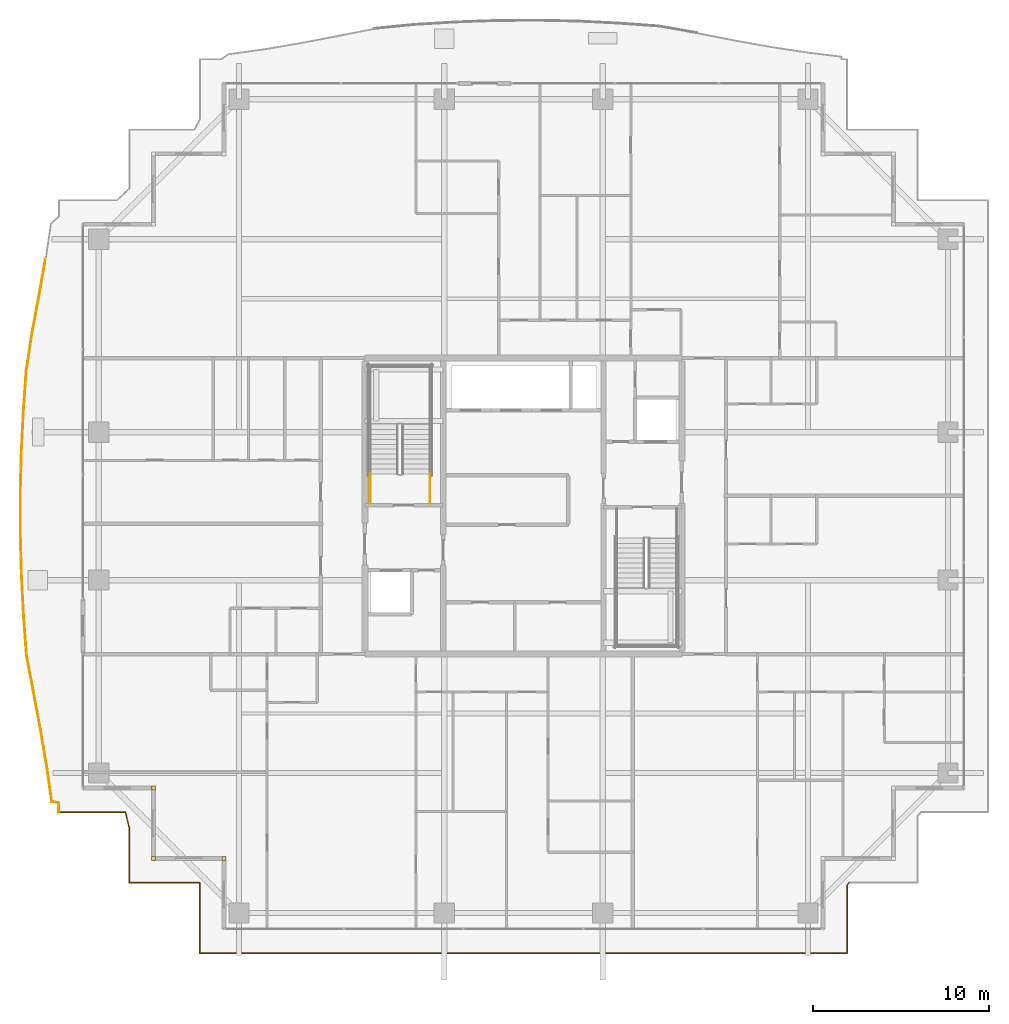
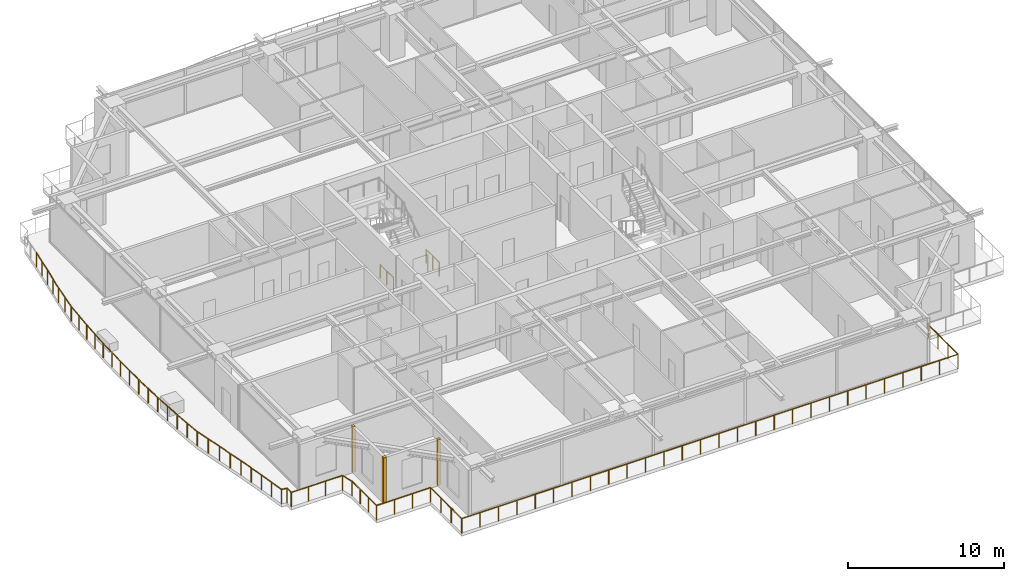
# One storey, part 34 of 38: 5 railings, 3 coverings.
"""IFC4 building model written with IfcOpenShell, lengths in metres."""

import ifcopenshell
import ifcopenshell.guid

model = None  # the IFC model being written
_history = None  # IfcOwnerHistory: only IFC2X3 demands one
_inside = {}  # id of a spatial element -> (the spatial element, [elements in it])
_under = {}  # id of a project, library or spatial element -> (it, [spatial elements below it])
_declared = {}  # id of a project -> (the project, [libraries it declares])
_typed = {}  # id of a type object -> (the type object, [elements of that type])
_made_of = {}  # id of a material, layer set ... -> (it, [elements and type objects made of it])


def new_model(schema):
    """Start an empty IFC model of exactly this schema.

    Asked for "IFC4X3", IfcOpenShell would pick the latest addendum, in which some entities
    have other attributes; the version numbers below select the first issue.
    IFC2X3 requires an IfcOwnerHistory on every rooted entity: one is made here for all.
    """
    global model, _history
    if schema == "IFC4X3":
        model = ifcopenshell.file(schema_version=(4, 3, 0, 0))
    else:
        model = ifcopenshell.file(schema=schema)
    _inside.clear()
    _under.clear()
    _declared.clear()
    _typed.clear()
    _made_of.clear()
    _history = None
    if model.schema == "IFC2X3":
        org = make("IfcOrganization", Name="unknown")
        user = make(
            "IfcPersonAndOrganization",
            ThePerson=make("IfcPerson", FamilyName="unknown"),
            TheOrganization=org,
        )
        app = make(
            "IfcApplication",
            ApplicationDeveloper=org,
            Version="unknown",
            ApplicationFullName="unknown",
            ApplicationIdentifier="unknown",
        )
        _history = make(
            "IfcOwnerHistory",
            OwningUser=user,
            OwningApplication=app,
            ChangeAction="ADDED",
            CreationDate=0,
        )
    return model


def make(cls, **values):
    """One entity of the class cls with the attributes given. An attribute that is None is left unset."""
    return model.create_entity(
        cls, **{name: value for name, value in values.items() if value is not None}
    )


def rooted(cls, **values):
    """An entity with a GlobalId (a new one), such as an element, a storey or a relation."""
    return make(cls, GlobalId=ifcopenshell.guid.new(), OwnerHistory=_history, **values)


def si_unit(unit_type, name, prefix=None):
    """IfcSIUnit, for example si_unit("LENGTHUNIT", "METRE", prefix="MILLI")."""
    return make("IfcSIUnit", UnitType=unit_type, Prefix=prefix, Name=name)


def assignment(units):
    """IfcUnitAssignment: the units of a project."""
    return None if units is None else make("IfcUnitAssignment", Units=units)


def point(xyz):
    """IfcCartesianPoint."""
    return None if xyz is None else make("IfcCartesianPoint", Coordinates=xyz)


def direction(xyz):
    """IfcDirection."""
    return None if xyz is None else make("IfcDirection", DirectionRatios=xyz)


def frame(location, z_axis=None, x_axis=None):
    """IfcAxis2Placement3D, a coordinate frame: its origin and axes. An axis left out is left unset."""
    return make(
        "IfcAxis2Placement3D",
        Location=point(location),
        Axis=direction(z_axis),
        RefDirection=direction(x_axis),
    )


def frame_2d(location, x_axis=None):
    """IfcAxis2Placement2D, a coordinate frame in the plane: its origin and x axis."""
    return make(
        "IfcAxis2Placement2D", Location=point(location), RefDirection=direction(x_axis)
    )


def origin():
    """The frame at (0, 0, 0) with its axes left unset."""
    return frame((0.0, 0.0, 0.0))


def origin_2d():
    """The frame at (0, 0) in the plane with its x axis left unset."""
    return frame_2d((0.0, 0.0))


def place(relative_to, where):
    """IfcLocalPlacement: puts the frame where relative to a parent placement (None: the world)."""
    return make(
        "IfcLocalPlacement", PlacementRelTo=relative_to, RelativePlacement=where
    )


def context(
    kind, dimensions, precision=None, world=None, true_north=None, identifier=None
):
    """IfcGeometricRepresentationContext, for example the 3D "Model" context."""
    return make(
        "IfcGeometricRepresentationContext",
        ContextIdentifier=identifier,
        ContextType=kind,
        CoordinateSpaceDimension=dimensions,
        Precision=precision,
        WorldCoordinateSystem=world,
        TrueNorth=true_north,
    )


def subcontext(parent, identifier, kind, view, scale=None):
    """IfcGeometricRepresentationSubContext, for example "Body" below "Model"."""
    return make(
        "IfcGeometricRepresentationSubContext",
        ContextIdentifier=identifier,
        ContextType=kind,
        ParentContext=parent,
        TargetScale=scale,
        TargetView=view,
    )


def project(units=None, contexts=None):
    """IfcProject with its units and contexts."""
    return rooted(
        "IfcProject",
        Name="project",
        RepresentationContexts=contexts,
        UnitsInContext=assignment(units),
    )


def spatial(cls, under=None, at=None, **own):
    """A site, building, storey or space (cls), placed at a placement, below another one or the project."""
    s = rooted(cls, ObjectPlacement=at, **own)
    if under is not None:
        _under.setdefault(under.id(), (under, []))[1].append(s)
    return s


def profile(cls, at=None, kind="AREA", **sizes):
    """A parametric profile (cls). Its sizes go by their IFC names, for example OverallWidth=200.0."""
    return make(cls, ProfileType=kind, Position=at, **sizes)


def rectangle(**sizes):
    """IfcRectangleProfileDef."""
    return profile("IfcRectangleProfileDef", **sizes)


def circle(**sizes):
    """IfcCircleProfileDef."""
    return profile("IfcCircleProfileDef", **sizes)


def extrude(swept, where, along, depth):
    """IfcExtrudedAreaSolid: the profile swept, set in the frame where, extruded along a direction by depth."""
    return make(
        "IfcExtrudedAreaSolid",
        SweptArea=swept,
        Position=where,
        ExtrudedDirection=direction(along),
        Depth=depth,
    )


def shape(context_of_items, identifier, shape_type, items):
    """IfcShapeRepresentation: the items that make up one representation, for example the "Body"."""
    return make(
        "IfcShapeRepresentation",
        ContextOfItems=context_of_items,
        RepresentationIdentifier=identifier,
        RepresentationType=shape_type,
        Items=items,
    )


def source(mapping_origin, context_of_items, identifier, shape_type, items):
    """IfcRepresentationMap: a shape defined once, which mapped items show again and again."""
    return make(
        "IfcRepresentationMap",
        MappingOrigin=mapping_origin,
        MappedRepresentation=shape(context_of_items, identifier, shape_type, items),
    )


def transform(
    local_origin,
    x_axis=None,
    y_axis=None,
    z_axis=None,
    scale=None,
    scale2=None,
    scale3=None,
    uniform=True,
):
    """IfcCartesianTransformationOperator3D, or its non-uniform kind. x_axis, y_axis, z_axis: its Axis1, 2, 3."""
    if uniform:
        return make(
            "IfcCartesianTransformationOperator3D",
            Axis1=direction(x_axis),
            Axis2=direction(y_axis),
            LocalOrigin=point(local_origin),
            Scale=scale,
            Axis3=direction(z_axis),
        )
    return make(
        "IfcCartesianTransformationOperator3DnonUniform",
        Axis1=direction(x_axis),
        Axis2=direction(y_axis),
        LocalOrigin=point(local_origin),
        Scale=scale,
        Axis3=direction(z_axis),
        Scale2=scale2,
        Scale3=scale3,
    )


def mapped(mapping_source, mapping_target):
    """IfcMappedItem: shows the shape of a source again, moved by a transform."""
    return make(
        "IfcMappedItem", MappingSource=mapping_source, MappingTarget=mapping_target
    )


def material(Name=None, Category=None):
    """IfcMaterial."""
    return make("IfcMaterial", Name=Name, Category=Category)


def layer(
    of_material, thickness, ventilated=None, Name=None, Category=None, Priority=None
):
    """IfcMaterialLayer: one layer of a wall or slab, of a material (None: an air gap)."""
    return make(
        "IfcMaterialLayer",
        Material=of_material,
        LayerThickness=thickness,
        IsVentilated=ventilated,
        Name=Name,
        Category=Category,
        Priority=Priority,
    )


def layer_set(layers, Name=None):
    """IfcMaterialLayerSet."""
    return make("IfcMaterialLayerSet", MaterialLayers=layers, LayerSetName=Name)


def made_of(thing, what):
    """Note that an element or type object is made of a material, layer set ...; save() writes the relation."""
    if what is not None:
        _made_of.setdefault(what.id(), (what, []))[1].append(thing)
    return thing


def type_object(cls, material=None, **own):
    """A type object (cls), such as IfcWallType, which elements share."""
    return made_of(rooted(cls, **own), material)


def element(
    cls,
    number,
    at=None,
    inside=None,
    cuts=None,
    type_object=None,
    material=None,
    context=None,
    identifier="Body",
    shape_type=None,
    held_by="IfcProductDefinitionShape",
    body=None,
    shapes=None,
    **own,
):
    """One element of the class cls, such as IfcWall. Its Tag is "e" and its number.

    at: its placement. inside: the storey or other place that contains it. cuts: it is an
    opening in that element (IfcRelVoidsElement). A single representation is given by context,
    identifier, shape_type and body (its items); several are given by shapes. held_by: the class
    of the entity that holds the representations. save() writes the other relations.
    """
    e = rooted(cls, Tag="e%d" % number, ObjectPlacement=at, **own)
    if body is not None:
        shapes = [shape(context, identifier, shape_type, body)]
    if shapes is not None:
        e.Representation = make(held_by, Representations=shapes)
    if inside is not None:
        _inside.setdefault(inside.id(), (inside, []))[1].append(e)
    if cuts is not None:
        rooted(
            "IfcRelVoidsElement", RelatingBuildingElement=cuts, RelatedOpeningElement=e
        )
    if type_object is not None:
        _typed.setdefault(type_object.id(), (type_object, []))[1].append(e)
    return made_of(e, material)


def aggregate(whole, parts):
    """IfcRelAggregates: a whole, such as a stair, and the parts it consists of."""
    return rooted("IfcRelAggregates", RelatingObject=whole, RelatedObjects=parts)


def save(model, path):
    """Write the relations noted so far, then the file.

    IfcRelAggregates (storeys below a building ...), IfcRelContainedInSpatialStructure (elements
    in a storey), IfcRelDefinesByType, IfcRelAssociatesMaterial and IfcRelDeclares: one each for
    every whole, place, type object, material and project.
    """
    for whole, parts in _under.values():
        aggregate(whole, parts)
    for where, things in _inside.values():
        rooted(
            "IfcRelContainedInSpatialStructure",
            RelatedElements=things,
            RelatingStructure=where,
        )
    for kind, things in _typed.values():
        rooted("IfcRelDefinesByType", RelatedObjects=things, RelatingType=kind)
    for what, things in _made_of.values():
        rooted("IfcRelAssociatesMaterial", RelatedObjects=things, RelatingMaterial=what)
    for by, libraries in _declared.values():
        rooted("IfcRelDeclares", RelatingContext=by, RelatedDefinitions=libraries)
    model.write(path)


model = new_model("IFC4")

# Units and contexts
model_context = context("Model", 3, precision=1e-05, world=origin(), true_north=direction((0.0, 1.0)))
body_context = subcontext(model_context, "Body", "Model", "MODEL_VIEW")
ifc_project = project(units=[si_unit("LENGTHUNIT", "METRE"), si_unit("AREAUNIT", "SQUARE_METRE"), si_unit("VOLUMEUNIT", "CUBIC_METRE"), si_unit("PLANEANGLEUNIT", "RADIAN"), si_unit("MASSUNIT", "GRAM", prefix="KILO")], contexts=[model_context])

# Site, building, storey
site_placement = place(None, origin())
site = spatial("IfcSite", under=ifc_project, at=site_placement, CompositionType="ELEMENT")
building_placement = place(site_placement, origin())
building = spatial("IfcBuilding", under=site, at=building_placement, Name="Serunith Strait Residences", CompositionType="ELEMENT")
storey_placement = place(building_placement, frame((0.0, 0.0, 268.199951171875)))
storey = spatial("IfcBuildingStorey", under=building, at=storey_placement, Name="L67", CompositionType="ELEMENT", Elevation=268.199951171875)

# Railings
ifc_material_1 = material(Name="Stainless Steel & Laminated Glass Balustrade", Category="steel")
railing_type_1 = type_object("IfcRailingType", Name="RLG-BALC-1150", PredefinedType="BALUSTRADE", material=ifc_material_1)
railing_1_placement = place(storey_placement, frame((6.02001953125, 7.820068359375, -0.050048828125)))
element("IfcRailing", 1, at=railing_1_placement, inside=storey, type_object=railing_type_1, Name="L67 Swirling Balcony Perimeter Balustrade 1", PredefinedType="BALUSTRADE", context=body_context, shape_type="SweptSolid", body=[
    extrude(circle(Radius=0.02392578125, at=origin_2d()), frame((0.0, 0.001953125, 1.1259765625), z_axis=(0.0, 1.0, 0.0), x_axis=(-1.0, 0.0, 0.0)), (0.0, 0.0, 1.0), 0.537841796875),
    extrude(circle(Radius=0.02392578125, at=origin_2d()), frame((-0.001953125, 0.5419921875, 1.1259765625), z_axis=(-0.986275797442, 0.165106182137, 0.0), x_axis=(-0.165106182137, -0.986275797442, 0.0)), (0.0, 0.0, 1.0), 0.387939453125),
    extrude(circle(Radius=0.02392578125, at=origin_2d()), frame((-0.38671875, 0.6083984375, 1.1259765625), z_axis=(-0.142606462437, 0.989779468807, 0.0), x_axis=(-0.989779468807, -0.142606462437, 0.0)), (0.0, 0.0, 1.0), 2.04345703125),
    extrude(circle(Radius=0.02392578125, at=origin_2d()), frame((-0.6787109375, 2.635009765625, 1.1259765625), z_axis=(-0.16681789198, 0.985987723512, 0.0), x_axis=(-0.985987723512, -0.16681789198, 0.0)), (0.0, 0.0, 1.0), 2.07421875),
    extrude(circle(Radius=0.02392578125, at=origin_2d()), frame((-1.025634765625, 4.68408203125, 1.1259765625), z_axis=(-0.18331064837, 0.983055037215, 0.0), x_axis=(-0.983055037215, -0.18331064837, 0.0)), (0.0, 0.0, 1.0), 2.12158203125),
    extrude(circle(Radius=0.02392578125, at=origin_2d()), frame((-1.415283203125, 6.773681640625, 1.1259765625), z_axis=(-0.185731384932, 0.982600556, 0.0), x_axis=(-0.982600556, -0.185731384932, 0.0)), (0.0, 0.0, 1.0), 2.181884765625),
    extrude(circle(Radius=0.02392578125, at=origin_2d()), frame((-1.821044921875, 8.921630859375, 1.1259765625), z_axis=(-0.073911256905, 0.997264822453, 0.0), x_axis=(-0.997264822453, -0.073911256905, 0.0)), (0.0, 0.0, 1.0), 2.2685546875),
    extrude(circle(Radius=0.02392578125, at=origin_2d()), frame((-1.98876953125, 11.18798828125, 1.1259765625), z_axis=(-0.05150746982, 0.998672609293, 0.0), x_axis=(-0.998672609293, -0.05150746982, 0.0)), (0.0, 0.0, 1.0), 2.299560546875),
    extrude(circle(Radius=0.02099609375, at=origin_2d()), origin(), (0.0, 0.0, 1.0), 1.099853515625),
    extrude(circle(Radius=0.02099609375, at=origin_2d()), frame((0.0, 0.541748046875, 0.0)), (0.0, 0.0, 1.0), 1.099853515625),
    extrude(circle(Radius=0.02099609375, at=origin_2d()), frame((-0.386474609375, 0.6064453125, 0.0)), (0.0, 0.0, 1.0), 1.099853515625),
    extrude(circle(Radius=0.02099609375, at=origin_2d()), frame((-0.532470703125, 1.61962890625, 0.0)), (0.0, 0.0, 1.0), 1.099853515625),
    extrude(circle(Radius=0.02099609375, at=origin_2d()), frame((-0.678466796875, 2.633056640625, 0.0)), (0.0, 0.0, 1.0), 1.099853515625),
    extrude(circle(Radius=0.02099609375, at=origin_2d()), frame((-0.851806640625, 3.65771484375, 0.0)), (0.0, 0.0, 1.0), 1.099853515625),
    extrude(circle(Radius=0.02099609375, at=origin_2d()), frame((-1.025146484375, 4.68212890625, 0.0)), (0.0, 0.0, 1.0), 1.099853515625),
    extrude(circle(Radius=0.02099609375, at=origin_2d()), frame((-1.219970703125, 5.72705078125, 0.0)), (0.0, 0.0, 1.0), 1.099853515625),
    extrude(circle(Radius=0.02099609375, at=origin_2d()), frame((-1.414794921875, 6.771728515625, 0.0)), (0.0, 0.0, 1.0), 1.099853515625),
    extrude(circle(Radius=0.02099609375, at=origin_2d()), frame((-1.61767578125, 7.845703125, 0.0)), (0.0, 0.0, 1.0), 1.099853515625),
    extrude(circle(Radius=0.02099609375, at=origin_2d()), frame((-1.82080078125, 8.919677734375, 0.0)), (0.0, 0.0, 1.0), 1.099853515625),
    extrude(circle(Radius=0.02099609375, at=origin_2d()), frame((-1.90478515625, 10.052734375, 0.0)), (0.0, 0.0, 1.0), 1.099853515625),
    extrude(circle(Radius=0.02099609375, at=origin_2d()), frame((-1.98876953125, 11.18603515625, 0.0)), (0.0, 0.0, 1.0), 1.099853515625),
    extrude(circle(Radius=0.02099609375, at=origin_2d()), frame((-2.048095703125, 12.33642578125, 0.0)), (0.0, 0.0, 1.0), 1.099853515625),
    extrude(circle(Radius=0.02099609375, at=origin_2d()), frame((-2.107421875, 13.486572265625, 0.0)), (0.0, 0.0, 1.0), 1.099853515625),
])
railing_2_placement = place(storey_placement, frame((3.91259765625, 21.306640625, -0.050048828125)))
element("IfcRailing", 2, at=railing_2_placement, inside=storey, type_object=railing_type_1, Name="L67 Swirling Balcony Perimeter Balustrade 2", PredefinedType="BALUSTRADE", context=body_context, shape_type="SweptSolid", body=[
    extrude(circle(Radius=0.02392578125, at=origin_2d()), frame((0.0, 0.001953125, 1.1259765625), z_axis=(-0.027105119065, 0.999632588765, 0.0), x_axis=(-0.999632588765, -0.027105119065, 0.0)), (0.0, 0.0, 1.0), 2.31982421875),
    extrude(circle(Radius=0.02392578125, at=origin_2d()), frame((-0.06298828125, 2.324951171875, 1.1259765625), z_axis=(-0.000732907352, 0.999999731423, 0.0), x_axis=(-0.999999731423, -0.000732907352, 0.0)), (0.0, 0.0, 1.0), 2.327880859375),
    extrude(circle(Radius=0.02392578125, at=origin_2d()), frame((-0.064697265625, 4.65673828125, 1.1259765625), z_axis=(0.025715978154, 0.999669289549, 0.0), x_axis=(-0.999669289549, 0.025715978154, 0.0)), (0.0, 0.0, 1.0), 2.322021484375),
    extrude(circle(Radius=0.02392578125, at=origin_2d()), frame((-0.0048828125, 6.98193359375, 1.1259765625), z_axis=(0.049610516021, 0.998768640227, 0.0), x_axis=(-0.998768640227, 0.049610516021, 0.0)), (0.0, 0.0, 1.0), 2.303955078125),
    extrude(circle(Radius=0.02392578125, at=origin_2d()), frame((0.10986328125, 9.287109375, 1.1259765625), z_axis=(0.069709781189, 0.997567314223, 0.0), x_axis=(-0.997567314223, 0.069709781189, 0.0)), (0.0, 0.0, 1.0), 2.27587890625),
    extrude(circle(Radius=0.02392578125, at=origin_2d()), frame((0.268798828125, 11.5615234375, 1.1259765625), z_axis=(0.150547525098, 0.988602772951, 0.0), x_axis=(-0.988602772951, 0.150547525098, 0.0)), (0.0, 0.0, 1.0), 2.2080078125),
    extrude(circle(Radius=0.02392578125, at=origin_2d()), frame((0.60205078125, 13.748291015625, 1.1259765625), z_axis=(0.184639480245, 0.982806319849, 0.0), x_axis=(-0.982806319849, 0.184639480245, 0.0)), (0.0, 0.0, 1.0), 2.137939453125),
    extrude(circle(Radius=0.02392578125, at=origin_2d()), frame((0.997314453125, 15.853515625, 1.1259765625), z_axis=(0.170907613006, 0.985287058586, 0.0), x_axis=(-0.985287058586, 0.170907613006, 0.0)), (0.0, 0.0, 1.0), 2.08740234375),
    extrude(circle(Radius=0.02099609375, at=origin_2d()), origin(), (0.0, 0.0, 1.0), 1.099853515625),
    extrude(circle(Radius=0.02099609375, at=origin_2d()), frame((-0.031494140625, 1.16162109375, 0.0)), (0.0, 0.0, 1.0), 1.099853515625),
    extrude(circle(Radius=0.02099609375, at=origin_2d()), frame((-0.06298828125, 2.322998046875, 0.0)), (0.0, 0.0, 1.0), 1.099853515625),
    extrude(circle(Radius=0.02099609375, at=origin_2d()), frame((-0.06396484375, 3.48876953125, 0.0)), (0.0, 0.0, 1.0), 1.099853515625),
    extrude(circle(Radius=0.02099609375, at=origin_2d()), frame((-0.064697265625, 4.65478515625, 0.0)), (0.0, 0.0, 1.0), 1.099853515625),
    extrude(circle(Radius=0.02099609375, at=origin_2d()), frame((-0.03466796875, 5.8173828125, 0.0)), (0.0, 0.0, 1.0), 1.099853515625),
    extrude(circle(Radius=0.02099609375, at=origin_2d()), frame((-0.0048828125, 6.97998046875, 0.0)), (0.0, 0.0, 1.0), 1.099853515625),
    extrude(circle(Radius=0.02099609375, at=origin_2d()), frame((0.05224609375, 8.132568359375, 0.0)), (0.0, 0.0, 1.0), 1.099853515625),
    extrude(circle(Radius=0.02099609375, at=origin_2d()), frame((0.109619140625, 9.28515625, 0.0)), (0.0, 0.0, 1.0), 1.099853515625),
    extrude(circle(Radius=0.02099609375, at=origin_2d()), frame((0.18896484375, 10.42236328125, 0.0)), (0.0, 0.0, 1.0), 1.099853515625),
    extrude(circle(Radius=0.02099609375, at=origin_2d()), frame((0.2685546875, 11.5595703125, 0.0)), (0.0, 0.0, 1.0), 1.099853515625),
    extrude(circle(Radius=0.02099609375, at=origin_2d()), frame((0.43505859375, 12.65283203125, 0.0)), (0.0, 0.0, 1.0), 1.099853515625),
    extrude(circle(Radius=0.02099609375, at=origin_2d()), frame((0.6015625, 13.746337890625, 0.0)), (0.0, 0.0, 1.0), 1.099853515625),
    extrude(circle(Radius=0.02099609375, at=origin_2d()), frame((0.79931640625, 14.798828125, 0.0)), (0.0, 0.0, 1.0), 1.099853515625),
    extrude(circle(Radius=0.02099609375, at=origin_2d()), frame((0.9970703125, 15.8515625, 0.0)), (0.0, 0.0, 1.0), 1.099853515625),
    extrude(circle(Radius=0.02099609375, at=origin_2d()), frame((1.17578125, 16.8818359375, 0.0)), (0.0, 0.0, 1.0), 1.099853515625),
    extrude(circle(Radius=0.02099609375, at=origin_2d()), frame((1.3544921875, 17.912109375, 0.0)), (0.0, 0.0, 1.0), 1.099853515625),
])
railing_3_placement = place(storey_placement, frame((50.881103515625, 3.820068359375, -0.050048828125)))
element("IfcRailing", 3, at=railing_3_placement, inside=storey, type_object=railing_type_1, Name="L67 Swirling Balcony Perimeter Balustrade 8", PredefinedType="BALUSTRADE", context=body_context, shape_type="SweptSolid", body=[
    extrude(circle(Radius=0.02392578125, at=origin_2d()), frame((-0.0009765625, -0.001708984375, 1.1259765625), z_axis=(-0.546751112301, -0.83729518164, 0.0), x_axis=(0.83729518164, -0.546751112301, 0.0)), (0.0, 0.0, 1.0), 0.180908203125),
    extrude(circle(Radius=0.02392578125, at=origin_2d()), frame((-0.10107421875, -0.15673828125, 1.1259765625), z_axis=(0.0, -1.0, 0.0), x_axis=(1.0, 0.0, 0.0)), (0.0, 0.0, 1.0), 3.84130859375),
    extrude(circle(Radius=0.02392578125, at=origin_2d()), frame((-0.10302734375, -4.0, 1.1259765625), z_axis=(-1.0, 0.0, 0.0), x_axis=(0.0, -1.0, 0.0)), (0.0, 0.0, 1.0), 36.756103515625),
    extrude(circle(Radius=0.02392578125, at=origin_2d()), frame((-36.861083984375, -3.998046875, 1.1259765625), z_axis=(0.0, 1.0, 0.0), x_axis=(-1.0, 0.0, 0.0)), (0.0, 0.0, 1.0), 3.99609375),
    extrude(circle(Radius=0.02392578125, at=origin_2d()), frame((-36.863037109375, 0.0, 1.1259765625), z_axis=(-1.0, 0.0, 0.0), x_axis=(0.0, -1.0, 0.0)), (0.0, 0.0, 1.0), 3.99609375),
    extrude(circle(Radius=0.02392578125, at=origin_2d()), frame((-40.861083984375, 0.001953125, 1.1259765625), z_axis=(0.0, 1.0, 0.0), x_axis=(-1.0, 0.0, 0.0)), (0.0, 0.0, 1.0), 3.125732421875),
    extrude(circle(Radius=0.02392578125, at=origin_2d()), frame((-40.861572265625, 3.131591796875, 1.1259765625), z_axis=(-0.239394336571, 0.970922423069, 0.0), x_axis=(-0.970922423069, -0.239394336571, 0.0)), (0.0, 0.0, 1.0), 0.892333984375),
    extrude(circle(Radius=0.02392578125, at=origin_2d()), frame((-41.07763671875, 4.0, 1.1259765625), z_axis=(-1.0, 0.0, 0.0), x_axis=(0.0, -1.0, 0.0)), (0.0, 0.0, 1.0), 3.781494140625),
    extrude(circle(Radius=0.02099609375, at=origin_2d()), origin(), (0.0, 0.0, 1.0), 1.099853515625),
    extrude(circle(Radius=0.02099609375, at=origin_2d()), frame((-0.10107421875, -0.15478515625, 0.0)), (0.0, 0.0, 1.0), 1.099853515625),
    extrude(circle(Radius=0.02099609375, at=origin_2d()), frame((-0.10107421875, -1.4365234375, 0.0)), (0.0, 0.0, 1.0), 1.099853515625),
    extrude(circle(Radius=0.02099609375, at=origin_2d()), frame((-0.10107421875, -2.71826171875, 0.0)), (0.0, 0.0, 1.0), 1.099853515625),
    extrude(circle(Radius=0.02099609375, at=origin_2d()), frame((-0.10107421875, -4.0, 0.0)), (0.0, 0.0, 1.0), 1.099853515625),
    extrude(circle(Radius=0.02099609375, at=origin_2d()), frame((-1.462646484375, -4.0, 0.0)), (0.0, 0.0, 1.0), 1.099853515625),
    extrude(circle(Radius=0.02099609375, at=origin_2d()), frame((-2.823974609375, -4.0, 0.0)), (0.0, 0.0, 1.0), 1.099853515625),
    extrude(circle(Radius=0.02099609375, at=origin_2d()), frame((-4.185546875, -4.0, 0.0)), (0.0, 0.0, 1.0), 1.099853515625),
    extrude(circle(Radius=0.02099609375, at=origin_2d()), frame((-5.547119140625, -4.0, 0.0)), (0.0, 0.0, 1.0), 1.099853515625),
    extrude(circle(Radius=0.02099609375, at=origin_2d()), frame((-6.908447265625, -4.0, 0.0)), (0.0, 0.0, 1.0), 1.099853515625),
    extrude(circle(Radius=0.02099609375, at=origin_2d()), frame((-8.27001953125, -4.0, 0.0)), (0.0, 0.0, 1.0), 1.099853515625),
    extrude(circle(Radius=0.02099609375, at=origin_2d()), frame((-9.63134765625, -4.0, 0.0)), (0.0, 0.0, 1.0), 1.099853515625),
    extrude(circle(Radius=0.02099609375, at=origin_2d()), frame((-10.992919921875, -4.0, 0.0)), (0.0, 0.0, 1.0), 1.099853515625),
    extrude(circle(Radius=0.02099609375, at=origin_2d()), frame((-12.3544921875, -4.0, 0.0)), (0.0, 0.0, 1.0), 1.099853515625),
    extrude(circle(Radius=0.02099609375, at=origin_2d()), frame((-13.7158203125, -4.0, 0.0)), (0.0, 0.0, 1.0), 1.099853515625),
    extrude(circle(Radius=0.02099609375, at=origin_2d()), frame((-15.077392578125, -4.0, 0.0)), (0.0, 0.0, 1.0), 1.099853515625),
    extrude(circle(Radius=0.02099609375, at=origin_2d()), frame((-16.43896484375, -4.0, 0.0)), (0.0, 0.0, 1.0), 1.099853515625),
    extrude(circle(Radius=0.02099609375, at=origin_2d()), frame((-17.80029296875, -4.0, 0.0)), (0.0, 0.0, 1.0), 1.099853515625),
    extrude(circle(Radius=0.02099609375, at=origin_2d()), frame((-19.161865234375, -4.0, 0.0)), (0.0, 0.0, 1.0), 1.099853515625),
    extrude(circle(Radius=0.02099609375, at=origin_2d()), frame((-20.523193359375, -4.0, 0.0)), (0.0, 0.0, 1.0), 1.099853515625),
    extrude(circle(Radius=0.02099609375, at=origin_2d()), frame((-21.884765625, -4.0, 0.0)), (0.0, 0.0, 1.0), 1.099853515625),
    extrude(circle(Radius=0.02099609375, at=origin_2d()), frame((-23.246337890625, -4.0, 0.0)), (0.0, 0.0, 1.0), 1.099853515625),
    extrude(circle(Radius=0.02099609375, at=origin_2d()), frame((-24.607666015625, -4.0, 0.0)), (0.0, 0.0, 1.0), 1.099853515625),
    extrude(circle(Radius=0.02099609375, at=origin_2d()), frame((-25.96923828125, -4.0, 0.0)), (0.0, 0.0, 1.0), 1.099853515625),
    extrude(circle(Radius=0.02099609375, at=origin_2d()), frame((-27.330810546875, -4.0, 0.0)), (0.0, 0.0, 1.0), 1.099853515625),
    extrude(circle(Radius=0.02099609375, at=origin_2d()), frame((-28.692138671875, -4.0, 0.0)), (0.0, 0.0, 1.0), 1.099853515625),
    extrude(circle(Radius=0.02099609375, at=origin_2d()), frame((-30.0537109375, -4.0, 0.0)), (0.0, 0.0, 1.0), 1.099853515625),
    extrude(circle(Radius=0.02099609375, at=origin_2d()), frame((-31.4150390625, -4.0, 0.0)), (0.0, 0.0, 1.0), 1.099853515625),
    extrude(circle(Radius=0.02099609375, at=origin_2d()), frame((-32.776611328125, -4.0, 0.0)), (0.0, 0.0, 1.0), 1.099853515625),
    extrude(circle(Radius=0.02099609375, at=origin_2d()), frame((-34.13818359375, -4.0, 0.0)), (0.0, 0.0, 1.0), 1.099853515625),
    extrude(circle(Radius=0.02099609375, at=origin_2d()), frame((-35.49951171875, -4.0, 0.0)), (0.0, 0.0, 1.0), 1.099853515625),
    extrude(circle(Radius=0.02099609375, at=origin_2d()), frame((-36.861083984375, -4.0, 0.0)), (0.0, 0.0, 1.0), 1.099853515625),
    extrude(circle(Radius=0.02099609375, at=origin_2d()), frame((-36.861083984375, -2.666748046875, 0.0)), (0.0, 0.0, 1.0), 1.099853515625),
    extrude(circle(Radius=0.02099609375, at=origin_2d()), frame((-36.861083984375, -1.333251953125, 0.0)), (0.0, 0.0, 1.0), 1.099853515625),
    extrude(circle(Radius=0.02099609375, at=origin_2d()), frame((-36.861083984375, 0.0, 0.0)), (0.0, 0.0, 1.0), 1.099853515625),
    extrude(circle(Radius=0.02099609375, at=origin_2d()), frame((-38.1943359375, 0.0, 0.0)), (0.0, 0.0, 1.0), 1.099853515625),
    extrude(circle(Radius=0.02099609375, at=origin_2d()), frame((-39.52783203125, 0.0, 0.0)), (0.0, 0.0, 1.0), 1.099853515625),
    extrude(circle(Radius=0.02099609375, at=origin_2d()), frame((-40.861083984375, 0.0, 0.0)), (0.0, 0.0, 1.0), 1.099853515625),
    extrude(circle(Radius=0.02099609375, at=origin_2d()), frame((-40.861083984375, 1.043212890625, 0.0)), (0.0, 0.0, 1.0), 1.099853515625),
    extrude(circle(Radius=0.02099609375, at=origin_2d()), frame((-40.861083984375, 2.08642578125, 0.0)), (0.0, 0.0, 1.0), 1.099853515625),
    extrude(circle(Radius=0.02099609375, at=origin_2d()), frame((-40.861083984375, 3.129638671875, 0.0)), (0.0, 0.0, 1.0), 1.099853515625),
    extrude(circle(Radius=0.02099609375, at=origin_2d()), frame((-41.07568359375, 4.0, 0.0)), (0.0, 0.0, 1.0), 1.099853515625),
    extrude(circle(Radius=0.02099609375, at=origin_2d()), frame((-42.33740234375, 4.0, 0.0)), (0.0, 0.0, 1.0), 1.099853515625),
    extrude(circle(Radius=0.02099609375, at=origin_2d()), frame((-43.599365234375, 4.0, 0.0)), (0.0, 0.0, 1.0), 1.099853515625),
    extrude(circle(Radius=0.02099609375, at=origin_2d()), frame((-44.861083984375, 4.0, 0.0)), (0.0, 0.0, 1.0), 1.099853515625),
])
ifc_material_2 = material(Name="Brushed stainless steel 316L", Category="steel")
railing_type_2 = type_object("IfcRailingType", Name="RLG-STAIR-GUARD", PredefinedType="BALUSTRADE", material=ifc_material_2)
for number, where, name in (
    (4, (27.10009765625, 25.35009765625, 0.0), "L67 ST-1 stair guard 8"),
    (5, (23.699951171875, 25.35009765625, 0.0), "L67 ST-1 stair guard 9"),
):
    element("IfcRailing", number, at=place(storey_placement, frame(where)), inside=storey, type_object=railing_type_2, Name=name, PredefinedType="BALUSTRADE", context=body_context, shape_type="SweptSolid", body=[
        extrude(circle(Radius=0.02392578125, at=origin_2d()), frame((0.0, 0.001953125, 1.076171875), z_axis=(0.0, 1.0, 0.0), x_axis=(-1.0, 0.0, 0.0)), (0.0, 0.0, 1.0), 1.676025390625),
        extrude(circle(Radius=0.02099609375, at=origin_2d()), origin(), (0.0, 0.0, 1.0), 1.050048828125),
        extrude(circle(Radius=0.02099609375, at=origin_2d()), frame((0.0, 0.83984375, 0.0)), (0.0, 0.0, 1.0), 1.050048828125),
        extrude(circle(Radius=0.02099609375, at=origin_2d()), frame((0.0, 1.679931640625, 0.0)), (0.0, 0.0, 1.0), 1.050048828125),
    ])

# Coverings
ifc_material_3 = material(Name="Pale-Champagne Anodised Aluminium", Category="aluminium")
ifc_layer = layer(ifc_material_3, 0.219970703125, Name="Pale-Champagne Anodised Aluminium")
ifc_layer_set = layer_set([ifc_layer], Name="Pale-Champagne Anodised Aluminium")
covering_type = type_object("IfcCoveringType", Name="COV-CORN-TRIM", PredefinedType="CLADDING", material=ifc_layer_set)
shared_shape = source(origin(), body_context, "Body", "SweptSolid", [
    extrude(rectangle(XDim=0.221923828125, YDim=0.221923828125, at=origin_2d()), origin(), (0.0, 0.0, 1.0), 3.574951171875),
])
for number, where, z_axis, x_axis, name in (
    (6, (11.39990234375, 9.199951171875, 0.0), (0.0, 0.0, 1.0), (1.0, 0.0, 0.0), "L67 Girih Serrated Corner Trim Post 17"),
    (7, (11.39990234375, 5.199951171875, 0.0), (0.0, 0.0, 1.0), (1.0, 0.0, 0.0), "L67 Girih Serrated Corner Trim Post 18"),
    (8, (15.39990234375, 5.199951171875, 0.0), (0.0, 0.0, 1.0), (1.0, 0.0, 0.0), "L67 Girih Serrated Corner Trim Post 19"),
):
    element("IfcCovering", number, at=place(storey_placement, frame(where, z_axis=z_axis, x_axis=x_axis)), inside=storey, type_object=covering_type, Name=name, PredefinedType="CLADDING", context=body_context, shape_type="MappedRepresentation", body=[
        mapped(shared_shape, transform((0.0, 0.0, 0.0), scale=1.0)),
    ])

save(model, "model.ifc")
